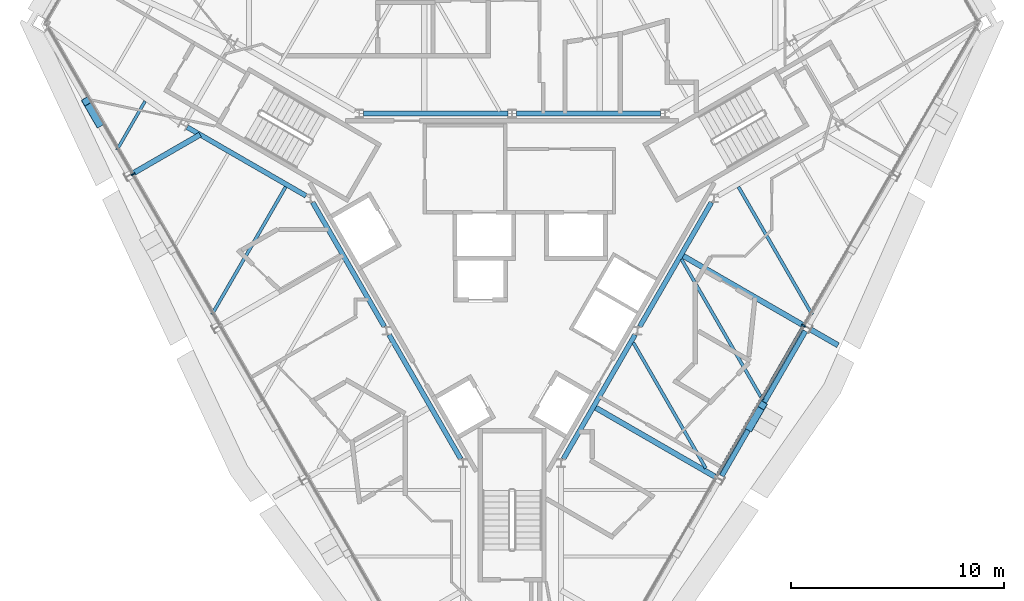
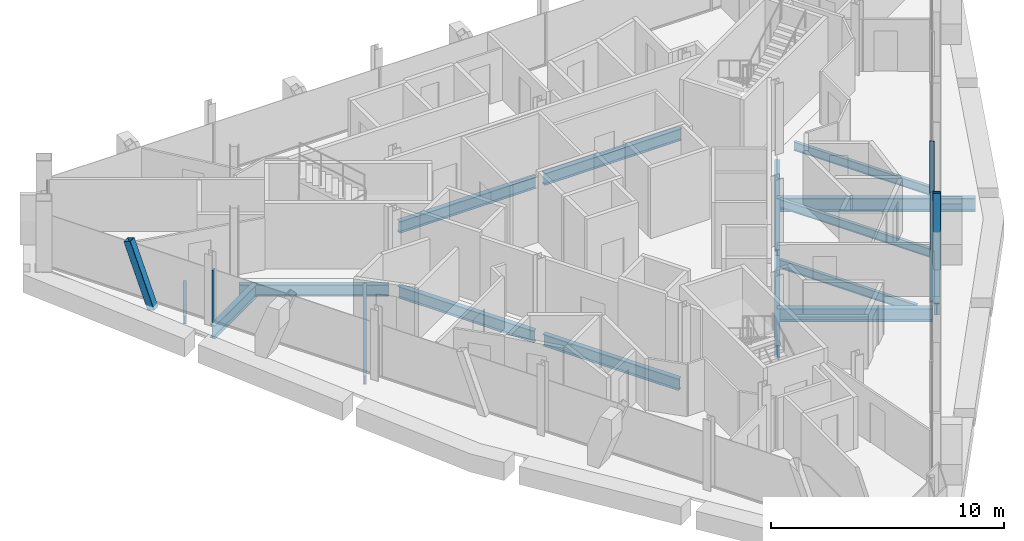
# One storey, part 4 of 14: 17 beams, 5 members, 2 elements without a shape of their own.
"""IFC4 building model written with IfcOpenShell, lengths in metres."""

from ifc_helpers import new_model, si_unit, direction, frame, origin, origin_2d, place, context, subcontext, project, spatial, rectangle, hollow_rectangle, i_section, extrude, material, material_profile, profile_set, type_object, element, aggregate, save


model = new_model("IFC4")

# Units and contexts
model_context = context("Model", 3, precision=1e-05, world=origin(), true_north=direction((0.0, 1.0)))
body_context = subcontext(model_context, "Body", "Model", "MODEL_VIEW")
ifc_project = project(units=[si_unit("LENGTHUNIT", "METRE"), si_unit("AREAUNIT", "SQUARE_METRE"), si_unit("VOLUMEUNIT", "CUBIC_METRE"), si_unit("PLANEANGLEUNIT", "RADIAN"), si_unit("MASSUNIT", "GRAM", prefix="KILO")], contexts=[model_context])

# Site, building, storey
site_placement = place(None, origin())
site = spatial("IfcSite", under=ifc_project, at=site_placement, CompositionType="ELEMENT")
building_placement = place(site_placement, origin())
building = spatial("IfcBuilding", under=site, at=building_placement, Name="Verrane Prism Tower", CompositionType="ELEMENT")
storey_placement = place(building_placement, frame((0.0, 0.0, 293.60009765625)))
storey = spatial("IfcBuildingStorey", under=building, at=storey_placement, Name="L74", CompositionType="ELEMENT", Elevation=293.60009765625)

# Beams
ifc_material_1 = material(Name="Steel A992", Category="steel")
ifc_material_profile_1 = material_profile(ifc_material_1, i_section(OverallWidth=0.23046875, OverallDepth=0.6171875, WebThickness=0.01318359375, FlangeThickness=0.022216796875, FilletRadius=0.012939453125, at=origin_2d()), Name="W24x94")
ifc_profile_set_1 = profile_set([ifc_material_profile_1], Name="Steel A992")
beam_type_1 = type_object("IfcBeamType", Name="Core ring girder W24x94", PredefinedType="BEAM", material=ifc_profile_set_1)
for number, where, z_axis, x_axis, name in (
    (1, (6.980712890625, 6.800048828125, -0.55859375), (-1.0, 0.0, 0.0), (0.0, -1.0, 0.0), "Core ring girder L74"),
    (2, (-0.199462890625, 6.800048828125, -0.55859375), (-1.0, 0.0, 0.0), (0.0, -1.0, 0.0), "Core ring girder L74"),
):
    element("IfcBeam", number, at=place(storey_placement, frame(where, z_axis=z_axis, x_axis=x_axis)), inside=storey, type_object=beam_type_1, Name=name, PredefinedType="BEAM", context=body_context, shape_type="SweptSolid", body=[
        extrude(i_section(OverallWidth=0.23046875, OverallDepth=0.6171875, WebThickness=0.01318359375, FlangeThickness=0.022216796875, FilletRadius=0.012939453125, at=origin_2d()), origin(), (0.0, 0.0, 1.0), 6.78125),
    ])
beam_1_placement = place(storey_placement, frame((-15.267333984375, 6.160400390625, -0.55859375), z_axis=(0.866080992722, -0.499903704773, 0.0), x_axis=(0.499903704773, 0.866080992722, 0.0)))
element("IfcBeam", 3, at=beam_1_placement, inside=storey, type_object=beam_type_1, Name="Core ring girder L74", PredefinedType="BEAM", context=body_context, shape_type="SweptSolid", body=[
    extrude(i_section(OverallWidth=0.23046875, OverallDepth=0.6171875, WebThickness=0.01318359375, FlangeThickness=0.022216796875, FilletRadius=0.012939453125, at=origin_2d()), origin(), (0.0, 0.0, 1.0), 6.451904296875),
])
for number, where, z_axis, x_axis, name in (
    (4, (-9.36865234375, 2.626953125, -0.55859375), (0.499881421193, -0.866093854468, 0.0), (0.866093854468, 0.499881421193, 0.0), "Core ring girder L74"),
    (5, (-5.778564453125, -3.593017578125, -0.55859375), (0.499881421193, -0.866093854468, 0.0), (0.866093854468, 0.499881421193, 0.0), "Core ring girder L74"),
    (6, (2.411376953125, -9.427001953125, -0.55859375), (0.499881421193, 0.866093854468, 0.0), (-0.866093854468, 0.499881421193, 0.0), "Core ring girder L74"),
    (7, (6.00146484375, -3.20703125, -0.55859375), (0.499881421193, 0.866093854468, 0.0), (-0.866093854468, 0.499881421193, 0.0), "Core ring girder L74"),
):
    element("IfcBeam", number, at=place(storey_placement, frame(where, z_axis=z_axis, x_axis=x_axis)), inside=storey, type_object=beam_type_1, Name=name, PredefinedType="BEAM", context=body_context, shape_type="SweptSolid", body=[
        extrude(i_section(OverallWidth=0.23046875, OverallDepth=0.6171875, WebThickness=0.01318359375, FlangeThickness=0.022216796875, FilletRadius=0.012939453125, at=origin_2d()), origin(), (0.0, 0.0, 1.0), 6.736083984375),
    ])

# Members
ifc_material_2 = material(Name="Steel A500 Grade C", Category="steel")
ifc_material_profile_2 = material_profile(ifc_material_2, hollow_rectangle(XDim=0.355712890625, YDim=0.355712890625, WallThickness=0.0126953125, InnerFilletRadius=0.00634765625, OuterFilletRadius=0.01904296875, at=origin_2d()), Name="HSS14x14x1/2")
ifc_profile_set_2 = profile_set([ifc_material_profile_2], Name="Steel A500 Grade C")
member_type_1 = type_object("IfcMemberType", Name="Facade brace HSS14x14x1/2", PredefinedType="BRACE", material=ifc_profile_set_2)
member_1_placement = place(storey_placement, frame((-19.420166015625, 6.341064453125, -0.216796875), z_axis=(-0.173933329841, 0.301465343199, 0.937478449683), x_axis=(-0.866171884844, -0.499746201493, 0.0)))
element("IfcMember", 8, at=member_1_placement, inside=storey, type_object=member_type_1, Name="Facade brace SW0 L74", PredefinedType="BRACE", context=body_context, shape_type="SweptSolid", body=[
    extrude(hollow_rectangle(XDim=0.355712890625, YDim=0.355712890625, WallThickness=0.0126953125, InnerFilletRadius=0.00634765625, OuterFilletRadius=0.01904296875, at=origin_2d()), origin(), (0.0, 0.0, 1.0), 3.409423828125),
])
member_2_placement = place(storey_placement, frame((11.18017578125, -7.932373046875, -0.216796875), z_axis=(0.173955846373, 0.301074671944, 0.937599810914), x_axis=(-0.865863090637, 0.500281029295, 0.0)))
element("IfcMember", 9, at=member_2_placement, inside=storey, type_object=member_type_1, Name="Facade brace SE2 L74", PredefinedType="BRACE", context=body_context, shape_type="SweptSolid", body=[
    extrude(hollow_rectangle(XDim=0.355712890625, YDim=0.355712890625, WallThickness=0.0126953125, InnerFilletRadius=0.00634765625, OuterFilletRadius=0.01904296875, at=origin_2d()), origin(), (0.0, 0.0, 1.0), 3.408935546875),
])

# Beams
ifc_material_3 = material(Name="Steel A992", Category="steel")
ifc_material_profile_3 = material_profile(ifc_material_3, i_section(OverallWidth=0.140380859375, OverallDepth=0.40380859375, WebThickness=0.007080078125, FlangeThickness=0.01123046875, FilletRadius=0.01025390625, at=origin_2d()), Name="W16x31")
ifc_profile_set_3 = profile_set([ifc_material_profile_3], Name="Steel A992")
beam_type_2 = type_object("IfcBeamType", Name="Floor beam W16x31", PredefinedType="BEAM", material=ifc_profile_set_3)
beam_2_placement = place(storey_placement, frame((-18.565185546875, 5.089599609375, -0.362060546875), z_axis=(0.49994082229, 0.866059567356, 0.0), x_axis=(-0.866059567356, 0.49994082229, 0.0)))
element("IfcBeam", 10, at=beam_2_placement, inside=storey, type_object=beam_type_2, Name="Floor beam L74", PredefinedType="BEAM", context=body_context, shape_type="SweptSolid", body=[
    extrude(i_section(OverallWidth=0.140380859375, OverallDepth=0.40380859375, WebThickness=0.007080078125, FlangeThickness=0.01123046875, FilletRadius=0.01025390625, at=origin_2d()), origin(), (0.0, 0.0, 1.0), 2.645263671875),
])
ifc_material_4 = material(Name="Steel A992", Category="steel")
ifc_material_profile_4 = material_profile(ifc_material_4, i_section(OverallWidth=0.15234375, OverallDepth=0.449462890625, WebThickness=0.007568359375, FlangeThickness=0.0107421875, FilletRadius=0.01025390625, at=origin_2d()), Name="W18x35")
ifc_profile_set_4 = profile_set([ifc_material_profile_4], Name="Steel A992")
beam_type_3 = type_object("IfcBeamType", Name="Floor beam W18x35", PredefinedType="BEAM", material=ifc_profile_set_4)
beam_3_placement = place(storey_placement, frame((-14.1015625, -2.64599609375, -0.385009765625), z_axis=(0.49999287541, 0.866029517129, 0.0), x_axis=(-0.866029517129, 0.49999287541, 0.0)))
element("IfcBeam", 11, at=beam_3_placement, inside=storey, type_object=beam_type_3, Name="Floor beam L74", PredefinedType="BEAM", context=body_context, shape_type="SweptSolid", body=[
    extrude(i_section(OverallWidth=0.15234375, OverallDepth=0.449462890625, WebThickness=0.007568359375, FlangeThickness=0.0107421875, FilletRadius=0.01025390625, at=origin_2d()), origin(), (0.0, 0.0, 1.0), 6.92919921875),
])
beam_4_placement = place(storey_placement, frame((11.78076171875, -6.6630859375, -0.385009765625), z_axis=(-0.499997113229, 0.866027070456, 0.0), x_axis=(-0.866027070456, -0.499997113229, 0.0)))
element("IfcBeam", 12, at=beam_4_placement, inside=storey, type_object=beam_type_3, Name="Floor beam L74", PredefinedType="BEAM", context=body_context, shape_type="SweptSolid", body=[
    extrude(i_section(OverallWidth=0.15234375, OverallDepth=0.449462890625, WebThickness=0.007568359375, FlangeThickness=0.0107421875, FilletRadius=0.01025390625, at=origin_2d()), origin(), (0.0, 0.0, 1.0), 7.64306640625),
])
beam_5_placement = place(storey_placement, frame((9.103271484375, -9.864501953125, -0.385009765625), z_axis=(-0.49999337185, 0.866029230515, 0.0), x_axis=(-0.866029230515, -0.49999337185, 0.0)))
element("IfcBeam", 13, at=beam_5_placement, inside=storey, type_object=beam_type_3, Name="Floor beam L74", PredefinedType="BEAM", context=body_context, shape_type="SweptSolid", body=[
    extrude(i_section(OverallWidth=0.15234375, OverallDepth=0.449462890625, WebThickness=0.007568359375, FlangeThickness=0.0107421875, FilletRadius=0.01025390625, at=origin_2d()), origin(), (0.0, 0.0, 1.0), 6.8125),
])
beam_6_placement = place(storey_placement, frame((14.1015625, -2.64599609375, -0.385009765625), z_axis=(-0.49999287541, 0.866029517129, 0.0), x_axis=(-0.866029517129, -0.49999287541, 0.0)))
element("IfcBeam", 14, at=beam_6_placement, inside=storey, type_object=beam_type_3, Name="Floor beam L74", PredefinedType="BEAM", context=body_context, shape_type="SweptSolid", body=[
    extrude(i_section(OverallWidth=0.15234375, OverallDepth=0.449462890625, WebThickness=0.007568359375, FlangeThickness=0.0107421875, FilletRadius=0.01025390625, at=origin_2d()), origin(), (0.0, 0.0, 1.0), 6.92919921875),
])

# Curtain wall, member
ifc_material_5 = material(Name="Aluminium framed insulated glazing", Category="aluminium")
curtain_wall_type = type_object("IfcCurtainWallType", Name="Curtain wall CW-A 8400 module", PredefinedType="NOTDEFINED", material=ifc_material_5)
curtain_wall_1_placement = place(storey_placement, origin())
curtain_wall_1 = element("IfcCurtainWall", 15, at=curtain_wall_1_placement, inside=storey, type_object=curtain_wall_type, Name="Glazed curtain wall south-west face L74", PredefinedType="NOTDEFINED")
ifc_material_6 = material(Name="Aluminium alloy 6063-T6", Category="aluminium")
ifc_material_profile_5 = material_profile(ifc_material_6, rectangle(XDim=0.199951171875, YDim=0.070068359375, at=origin_2d()), Name="Mullion 70x200 aluminium")
ifc_profile_set_5 = profile_set([ifc_material_profile_5], Name="Aluminium alloy 6063-T6")
member_type_2 = type_object("IfcMemberType", Name="Mullion 70x200 aluminium", PredefinedType="MULLION", material=ifc_profile_set_5)
member_3_placement = place(storey_placement, frame((-17.8095703125, 3.952392578125, 0.0), z_axis=(0.0, 0.0, 1.0), x_axis=(0.866024861728, 0.500000938868, 0.0)))
member_3 = element("IfcMember", 16, at=member_3_placement, type_object=member_type_2, Name="CW72.4 mullion 2", PredefinedType="MULLION", context=body_context, shape_type="SweptSolid", body=[
    extrude(rectangle(XDim=0.199951171875, YDim=0.070068359375, at=origin_2d()), origin(), (0.0, 0.0, 1.0), 2.722900390625),
])
aggregate(curtain_wall_1, [member_3])

curtain_wall_2_placement = place(storey_placement, origin())
curtain_wall_2 = element("IfcCurtainWall", 17, at=curtain_wall_2_placement, inside=storey, type_object=curtain_wall_type, Name="Glazed curtain wall south-east face L74", PredefinedType="NOTDEFINED")
member_4_placement = place(storey_placement, frame((13.7001953125, -3.1650390625, 0.0), z_axis=(0.0, 0.0, 1.0), x_axis=(-0.866024861728, 0.500000938868, 0.0)))
member_4 = element("IfcMember", 18, at=member_4_placement, type_object=member_type_2, Name="CW72.6 mullion 4", PredefinedType="MULLION", context=body_context, shape_type="SweptSolid", body=[
    extrude(rectangle(XDim=0.199951171875, YDim=0.070068359375, at=origin_2d()), origin(), (0.0, 0.0, 1.0), 2.722900390625),
])

# Beams
ifc_material_7 = material(Name="Steel A992", Category="steel")
ifc_material_profile_6 = material_profile(ifc_material_7, i_section(OverallWidth=0.25390625, OverallDepth=0.683349609375, WebThickness=0.012451171875, FlangeThickness=0.01904296875, FilletRadius=0.01513671875, at=origin_2d()), Name="W27x94")
ifc_profile_set_6 = profile_set([ifc_material_profile_6], Name="Steel A992")
beam_type_4 = type_object("IfcBeamType", Name="Radial girder W27x94", PredefinedType="BEAM", material=ifc_profile_set_6)
beam_7_placement = place(storey_placement, frame((-17.840576171875, 3.97216796875, -0.561767578125), z_axis=(0.866042841795, 0.499969795263, 0.0), x_axis=(-0.499969795263, 0.866042841795, 0.0)))
element("IfcBeam", 19, at=beam_7_placement, inside=storey, type_object=beam_type_4, Name="Radial girder L74", PredefinedType="BEAM", context=body_context, shape_type="SweptSolid", body=[
    extrude(i_section(OverallWidth=0.25390625, OverallDepth=0.683349609375, WebThickness=0.012451171875, FlangeThickness=0.01904296875, FilletRadius=0.01513671875, at=origin_2d()), origin(), (0.0, 0.0, 1.0), 3.674072265625),
])
beam_8_placement = place(storey_placement, frame((9.6005859375, -10.2978515625, -0.561767578125), z_axis=(-0.866031183428, 0.49998998923, 0.0), x_axis=(-0.49998998923, -0.866031183428, 0.0)))
element("IfcBeam", 20, at=beam_8_placement, inside=storey, type_object=beam_type_4, Name="Radial girder L74", PredefinedType="BEAM", context=body_context, shape_type="SweptSolid", body=[
    extrude(i_section(OverallWidth=0.25390625, OverallDepth=0.683349609375, WebThickness=0.012451171875, FlangeThickness=0.01904296875, FilletRadius=0.01513671875, at=origin_2d()), origin(), (0.0, 0.0, 1.0), 6.661865234375),
])
beam_9_placement = place(storey_placement, frame((13.720458984375, -3.16796875, -0.561767578125), z_axis=(-0.866025791777, 0.499999327977, 0.0), x_axis=(-0.499999327977, -0.866025791777, 0.0)))
element("IfcBeam", 21, at=beam_9_placement, inside=storey, type_object=beam_type_4, Name="Radial girder L74", PredefinedType="BEAM", context=body_context, shape_type="SweptSolid", body=[
    extrude(i_section(OverallWidth=0.25390625, OverallDepth=0.683349609375, WebThickness=0.012451171875, FlangeThickness=0.01904296875, FilletRadius=0.01513671875, at=origin_2d()), origin(), (0.0, 0.0, 1.0), 6.666015625),
])
beam_10_placement = place(storey_placement, frame((14.035888671875, -3.35009765625, -0.561767578125), z_axis=(0.866056109487, -0.499946812391, 0.0), x_axis=(0.499946812391, 0.866056109487, 0.0)))
element("IfcBeam", 22, at=beam_10_placement, inside=storey, type_object=beam_type_4, Name="Cantilever girder L74", PredefinedType="BEAM", context=body_context, shape_type="SweptSolid", body=[
    extrude(i_section(OverallWidth=0.25390625, OverallDepth=0.683349609375, WebThickness=0.012451171875, FlangeThickness=0.01904296875, FilletRadius=0.01513671875, at=origin_2d()), origin(), (0.0, 0.0, 1.0), 1.475830078125),
])
ifc_material_8 = material(Name="Steel A992", Category="steel")
ifc_material_profile_7 = material_profile(ifc_material_8, i_section(OverallWidth=0.23046875, OverallDepth=0.6171875, WebThickness=0.01318359375, FlangeThickness=0.022216796875, FilletRadius=0.012939453125, at=origin_2d()), Name="W24x94")
ifc_profile_set_7 = profile_set([ifc_material_profile_7], Name="Steel A992")
beam_type_5 = type_object("IfcBeamType", Name="Spandrel beam W24x94", PredefinedType="SPANDREL", material=ifc_profile_set_7)
beam_11_placement = place(storey_placement, frame((9.853515625, -10.228515625, -0.46875), z_axis=(0.500300363133, 0.865851919585, 0.0), x_axis=(-0.865851919585, 0.500300363133, 0.0)))
element("IfcBeam", 23, at=beam_11_placement, inside=storey, type_object=beam_type_5, Name="Spandrel beam L74", PredefinedType="SPANDREL", context=body_context, shape_type="SweptSolid", body=[
    extrude(i_section(OverallWidth=0.23046875, OverallDepth=0.6171875, WebThickness=0.01318359375, FlangeThickness=0.022216796875, FilletRadius=0.012939453125, at=origin_2d()), origin(), (0.0, 0.0, 1.0), 7.861572265625),
])

# Member
ifc_material_9 = material(Name="Aluminium alloy 6063-T6", Category="aluminium")
ifc_material_profile_8 = material_profile(ifc_material_9, rectangle(XDim=0.14990234375, YDim=0.070068359375, at=origin_2d()), Name="Transom 70x150 aluminium")
ifc_profile_set_8 = profile_set([ifc_material_profile_8], Name="Aluminium alloy 6063-T6")
member_type_3 = type_object("IfcMemberType", Name="Transom 70x150 aluminium", PredefinedType="USERDEFINED", material=ifc_profile_set_8)
member_5_placement = place(storey_placement, frame((9.608642578125, -10.251953125, 0.034912109375), z_axis=(0.500006018292, 0.866021929094, 0.0), x_axis=(-0.866021929094, 0.500006018292, 0.0)))
member_5 = element("IfcMember", 24, at=member_5_placement, type_object=member_type_3, Name="CW72.6 transom 3", ObjectType="TRANSOM", PredefinedType="USERDEFINED", context=body_context, shape_type="SweptSolid", body=[
    extrude(rectangle(XDim=0.14990234375, YDim=0.070068359375, at=origin_2d()), origin(), (0.0, 0.0, 1.0), 8.1484375),
])

aggregate(curtain_wall_2, [member_4, member_5])

save(model, "model.ifc")
